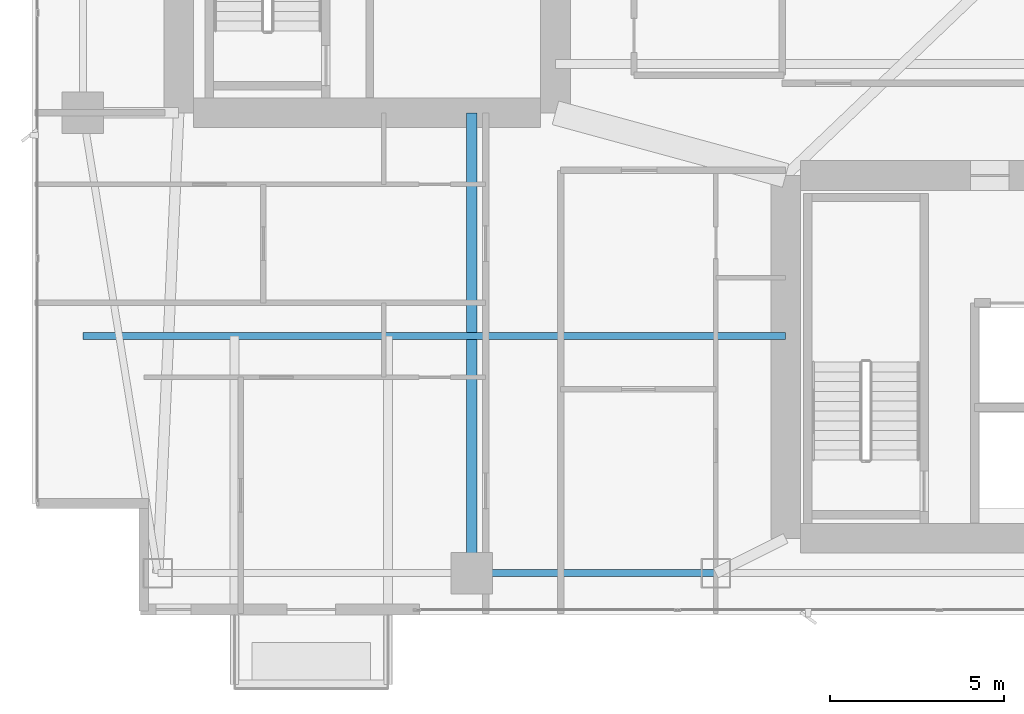
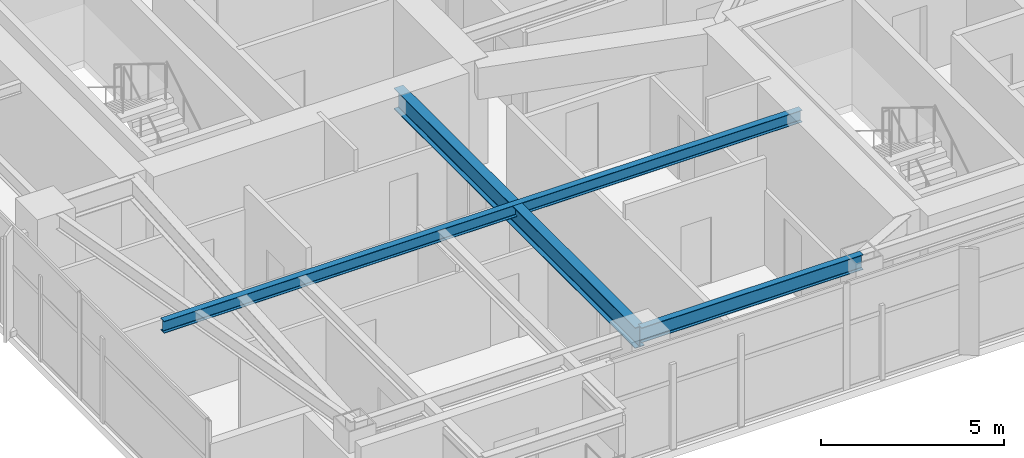
# One storey, part 5 of 29: 3 beams.
"""IFC4 building model written with IfcOpenShell, lengths in metres."""

import ifcopenshell
import ifcopenshell.guid

model = None  # the IFC model being written
_history = None  # IfcOwnerHistory: only IFC2X3 demands one
_inside = {}  # id of a spatial element -> (the spatial element, [elements in it])
_under = {}  # id of a project, library or spatial element -> (it, [spatial elements below it])
_declared = {}  # id of a project -> (the project, [libraries it declares])
_typed = {}  # id of a type object -> (the type object, [elements of that type])
_made_of = {}  # id of a material, layer set ... -> (it, [elements and type objects made of it])


def new_model(schema):
    """Start an empty IFC model of exactly this schema.

    Asked for "IFC4X3", IfcOpenShell would pick the latest addendum, in which some entities
    have other attributes; the version numbers below select the first issue.
    IFC2X3 requires an IfcOwnerHistory on every rooted entity: one is made here for all.
    """
    global model, _history
    if schema == "IFC4X3":
        model = ifcopenshell.file(schema_version=(4, 3, 0, 0))
    else:
        model = ifcopenshell.file(schema=schema)
    _inside.clear()
    _under.clear()
    _declared.clear()
    _typed.clear()
    _made_of.clear()
    _history = None
    if model.schema == "IFC2X3":
        org = make("IfcOrganization", Name="unknown")
        user = make(
            "IfcPersonAndOrganization",
            ThePerson=make("IfcPerson", FamilyName="unknown"),
            TheOrganization=org,
        )
        app = make(
            "IfcApplication",
            ApplicationDeveloper=org,
            Version="unknown",
            ApplicationFullName="unknown",
            ApplicationIdentifier="unknown",
        )
        _history = make(
            "IfcOwnerHistory",
            OwningUser=user,
            OwningApplication=app,
            ChangeAction="ADDED",
            CreationDate=0,
        )
    return model


def make(cls, **values):
    """One entity of the class cls with the attributes given. An attribute that is None is left unset."""
    return model.create_entity(
        cls, **{name: value for name, value in values.items() if value is not None}
    )


def rooted(cls, **values):
    """An entity with a GlobalId (a new one), such as an element, a storey or a relation."""
    return make(cls, GlobalId=ifcopenshell.guid.new(), OwnerHistory=_history, **values)


def si_unit(unit_type, name, prefix=None):
    """IfcSIUnit, for example si_unit("LENGTHUNIT", "METRE", prefix="MILLI")."""
    return make("IfcSIUnit", UnitType=unit_type, Prefix=prefix, Name=name)


def assignment(units):
    """IfcUnitAssignment: the units of a project."""
    return None if units is None else make("IfcUnitAssignment", Units=units)


def point(xyz):
    """IfcCartesianPoint."""
    return None if xyz is None else make("IfcCartesianPoint", Coordinates=xyz)


def direction(xyz):
    """IfcDirection."""
    return None if xyz is None else make("IfcDirection", DirectionRatios=xyz)


def frame(location, z_axis=None, x_axis=None):
    """IfcAxis2Placement3D, a coordinate frame: its origin and axes. An axis left out is left unset."""
    return make(
        "IfcAxis2Placement3D",
        Location=point(location),
        Axis=direction(z_axis),
        RefDirection=direction(x_axis),
    )


def frame_2d(location, x_axis=None):
    """IfcAxis2Placement2D, a coordinate frame in the plane: its origin and x axis."""
    return make(
        "IfcAxis2Placement2D", Location=point(location), RefDirection=direction(x_axis)
    )


def origin():
    """The frame at (0, 0, 0) with its axes left unset."""
    return frame((0.0, 0.0, 0.0))


def origin_2d():
    """The frame at (0, 0) in the plane with its x axis left unset."""
    return frame_2d((0.0, 0.0))


def place(relative_to, where):
    """IfcLocalPlacement: puts the frame where relative to a parent placement (None: the world)."""
    return make(
        "IfcLocalPlacement", PlacementRelTo=relative_to, RelativePlacement=where
    )


def context(
    kind, dimensions, precision=None, world=None, true_north=None, identifier=None
):
    """IfcGeometricRepresentationContext, for example the 3D "Model" context."""
    return make(
        "IfcGeometricRepresentationContext",
        ContextIdentifier=identifier,
        ContextType=kind,
        CoordinateSpaceDimension=dimensions,
        Precision=precision,
        WorldCoordinateSystem=world,
        TrueNorth=true_north,
    )


def subcontext(parent, identifier, kind, view, scale=None):
    """IfcGeometricRepresentationSubContext, for example "Body" below "Model"."""
    return make(
        "IfcGeometricRepresentationSubContext",
        ContextIdentifier=identifier,
        ContextType=kind,
        ParentContext=parent,
        TargetScale=scale,
        TargetView=view,
    )


def project(units=None, contexts=None):
    """IfcProject with its units and contexts."""
    return rooted(
        "IfcProject",
        Name="project",
        RepresentationContexts=contexts,
        UnitsInContext=assignment(units),
    )


def spatial(cls, under=None, at=None, **own):
    """A site, building, storey or space (cls), placed at a placement, below another one or the project."""
    s = rooted(cls, ObjectPlacement=at, **own)
    if under is not None:
        _under.setdefault(under.id(), (under, []))[1].append(s)
    return s


def profile(cls, at=None, kind="AREA", **sizes):
    """A parametric profile (cls). Its sizes go by their IFC names, for example OverallWidth=200.0."""
    return make(cls, ProfileType=kind, Position=at, **sizes)


def i_section(**sizes):
    """IfcIShapeProfileDef."""
    return profile("IfcIShapeProfileDef", **sizes)


def extrude(swept, where, along, depth):
    """IfcExtrudedAreaSolid: the profile swept, set in the frame where, extruded along a direction by depth."""
    return make(
        "IfcExtrudedAreaSolid",
        SweptArea=swept,
        Position=where,
        ExtrudedDirection=direction(along),
        Depth=depth,
    )


def shape(context_of_items, identifier, shape_type, items):
    """IfcShapeRepresentation: the items that make up one representation, for example the "Body"."""
    return make(
        "IfcShapeRepresentation",
        ContextOfItems=context_of_items,
        RepresentationIdentifier=identifier,
        RepresentationType=shape_type,
        Items=items,
    )


def material(Name=None, Category=None):
    """IfcMaterial."""
    return make("IfcMaterial", Name=Name, Category=Category)


def material_profile(
    of_material, cross_section, Name=None, Category=None, Priority=None
):
    """IfcMaterialProfile: a cross section and its material."""
    return make(
        "IfcMaterialProfile",
        Name=Name,
        Material=of_material,
        Profile=cross_section,
        Priority=Priority,
        Category=Category,
    )


def profile_set(profiles, Name=None, composite=None):
    """IfcMaterialProfileSet."""
    return make(
        "IfcMaterialProfileSet",
        Name=Name,
        MaterialProfiles=profiles,
        CompositeProfile=composite,
    )


def made_of(thing, what):
    """Note that an element or type object is made of a material, layer set ...; save() writes the relation."""
    if what is not None:
        _made_of.setdefault(what.id(), (what, []))[1].append(thing)
    return thing


def type_object(cls, material=None, **own):
    """A type object (cls), such as IfcWallType, which elements share."""
    return made_of(rooted(cls, **own), material)


def element(
    cls,
    number,
    at=None,
    inside=None,
    cuts=None,
    type_object=None,
    material=None,
    context=None,
    identifier="Body",
    shape_type=None,
    held_by="IfcProductDefinitionShape",
    body=None,
    shapes=None,
    **own,
):
    """One element of the class cls, such as IfcWall. Its Tag is "e" and its number.

    at: its placement. inside: the storey or other place that contains it. cuts: it is an
    opening in that element (IfcRelVoidsElement). A single representation is given by context,
    identifier, shape_type and body (its items); several are given by shapes. held_by: the class
    of the entity that holds the representations. save() writes the other relations.
    """
    e = rooted(cls, Tag="e%d" % number, ObjectPlacement=at, **own)
    if body is not None:
        shapes = [shape(context, identifier, shape_type, body)]
    if shapes is not None:
        e.Representation = make(held_by, Representations=shapes)
    if inside is not None:
        _inside.setdefault(inside.id(), (inside, []))[1].append(e)
    if cuts is not None:
        rooted(
            "IfcRelVoidsElement", RelatingBuildingElement=cuts, RelatedOpeningElement=e
        )
    if type_object is not None:
        _typed.setdefault(type_object.id(), (type_object, []))[1].append(e)
    return made_of(e, material)


def aggregate(whole, parts):
    """IfcRelAggregates: a whole, such as a stair, and the parts it consists of."""
    return rooted("IfcRelAggregates", RelatingObject=whole, RelatedObjects=parts)


def save(model, path):
    """Write the relations noted so far, then the file.

    IfcRelAggregates (storeys below a building ...), IfcRelContainedInSpatialStructure (elements
    in a storey), IfcRelDefinesByType, IfcRelAssociatesMaterial and IfcRelDeclares: one each for
    every whole, place, type object, material and project.
    """
    for whole, parts in _under.values():
        aggregate(whole, parts)
    for where, things in _inside.values():
        rooted(
            "IfcRelContainedInSpatialStructure",
            RelatedElements=things,
            RelatingStructure=where,
        )
    for kind, things in _typed.values():
        rooted("IfcRelDefinesByType", RelatedObjects=things, RelatingType=kind)
    for what, things in _made_of.values():
        rooted("IfcRelAssociatesMaterial", RelatedObjects=things, RelatingMaterial=what)
    for by, libraries in _declared.values():
        rooted("IfcRelDeclares", RelatingContext=by, RelatedDefinitions=libraries)
    model.write(path)


model = new_model("IFC4")

# Units and contexts
model_context = context("Model", 3, precision=1e-05, world=origin(), true_north=direction((0.0, 1.0)))
body_context = subcontext(model_context, "Body", "Model", "MODEL_VIEW")
ifc_project = project(units=[si_unit("LENGTHUNIT", "METRE"), si_unit("AREAUNIT", "SQUARE_METRE"), si_unit("VOLUMEUNIT", "CUBIC_METRE"), si_unit("PLANEANGLEUNIT", "RADIAN"), si_unit("MASSUNIT", "GRAM", prefix="KILO")], contexts=[model_context])

# Site, building, storey
site_placement = place(None, origin())
site = spatial("IfcSite", under=ifc_project, at=site_placement, CompositionType="ELEMENT")
building_placement = place(site_placement, origin())
building = spatial("IfcBuilding", under=site, at=building_placement, Name="Calvorn Quay Hotel", CompositionType="ELEMENT")
storey_placement = place(building_placement, frame((0.0, 0.0, 105.0)))
storey = spatial("IfcBuildingStorey", under=building, at=storey_placement, Name="L25", CompositionType="ELEMENT", Elevation=105.0)

# Beams
ifc_material_1 = material(Name="Steel Q390GJC", Category="steel")
ifc_material_profile_1 = material_profile(ifc_material_1, i_section(OverallWidth=0.300048828125, OverallDepth=0.699951171875, WebThickness=0.012939453125, FlangeThickness=0.02392578125, FilletRadius=0.02392578125, at=origin_2d()), Name="HN700x300x13x24")
ifc_profile_set_1 = profile_set([ifc_material_profile_1], Name="Steel Q390GJC")
beam_type_1 = type_object("IfcBeamType", Name="BM-GIRD-MAIN", PredefinedType="BEAM", material=ifc_profile_set_1)
beam_1_placement = place(storey_placement, frame((12.60009765625, 3.60009765625, 3.18994140625), z_axis=(0.0, 1.0, 0.0), x_axis=(-1.0, 0.0, 0.0)))
element("IfcBeam", 1, at=beam_1_placement, inside=storey, type_object=beam_type_1, Name="Beam BG-L25-S1", PredefinedType="BEAM", context=body_context, shape_type="SweptSolid", body=[
    extrude(i_section(OverallWidth=0.300048828125, OverallDepth=0.699951171875, WebThickness=0.012939453125, FlangeThickness=0.02392578125, FilletRadius=0.02392578125, at=origin_2d()), origin(), (0.0, 0.0, 1.0), 13.199951171875),
])
ifc_material_2 = material(Name="Steel Q355B", Category="steel")
ifc_material_profile_2 = material_profile(ifc_material_2, i_section(OverallWidth=0.199951171875, OverallDepth=0.39990234375, WebThickness=0.008056640625, FlangeThickness=0.012939453125, FilletRadius=0.01611328125, at=origin_2d()), Name="HN400x200x8x13")
ifc_profile_set_2 = profile_set([ifc_material_profile_2], Name="Steel Q355B")
beam_type_2 = type_object("IfcBeamType", Name="BM-JOIST-TYP", PredefinedType="JOIST", material=ifc_profile_set_2)
beam_2_placement = place(storey_placement, frame((1.449951171875, 10.39990234375, 3.340087890625), z_axis=(1.0, 0.0, 0.0), x_axis=(0.0, 1.0, 0.0)))
element("IfcBeam", 2, at=beam_2_placement, inside=storey, type_object=beam_type_2, Name="Beam BJ-L25-W1", PredefinedType="JOIST", context=body_context, shape_type="SweptSolid", body=[
    extrude(i_section(OverallWidth=0.199951171875, OverallDepth=0.39990234375, WebThickness=0.008056640625, FlangeThickness=0.012939453125, FilletRadius=0.01611328125, at=origin_2d()), origin(), (0.0, 0.0, 1.0), 20.150146484375),
])
ifc_material_3 = material(Name="Steel Q355B", Category="steel")
ifc_material_profile_3 = material_profile(ifc_material_3, i_section(OverallWidth=0.199951171875, OverallDepth=0.5, WebThickness=0.010009765625, FlangeThickness=0.01611328125, FilletRadius=0.01611328125, at=origin_2d()), Name="HN500x200x10x16")
ifc_profile_set_3 = profile_set([ifc_material_profile_3], Name="Steel Q355B")
beam_type_3 = type_object("IfcBeamType", Name="BM-SPANDREL-Z1", PredefinedType="SPANDREL", material=ifc_profile_set_3)
beam_3_placement = place(storey_placement, frame((12.60009765625, 3.60009765625, 3.2900390625), z_axis=(1.0, 0.0, 0.0), x_axis=(0.0, 1.0, 0.0)))
element("IfcBeam", 3, at=beam_3_placement, inside=storey, type_object=beam_type_3, Name="Beam BSP-L25-S2", PredefinedType="SPANDREL", context=body_context, shape_type="SweptSolid", body=[
    extrude(i_section(OverallWidth=0.199951171875, OverallDepth=0.5, WebThickness=0.010009765625, FlangeThickness=0.01611328125, FilletRadius=0.01611328125, at=origin_2d()), origin(), (0.0, 0.0, 1.0), 7.0),
])

save(model, "model.ifc")
